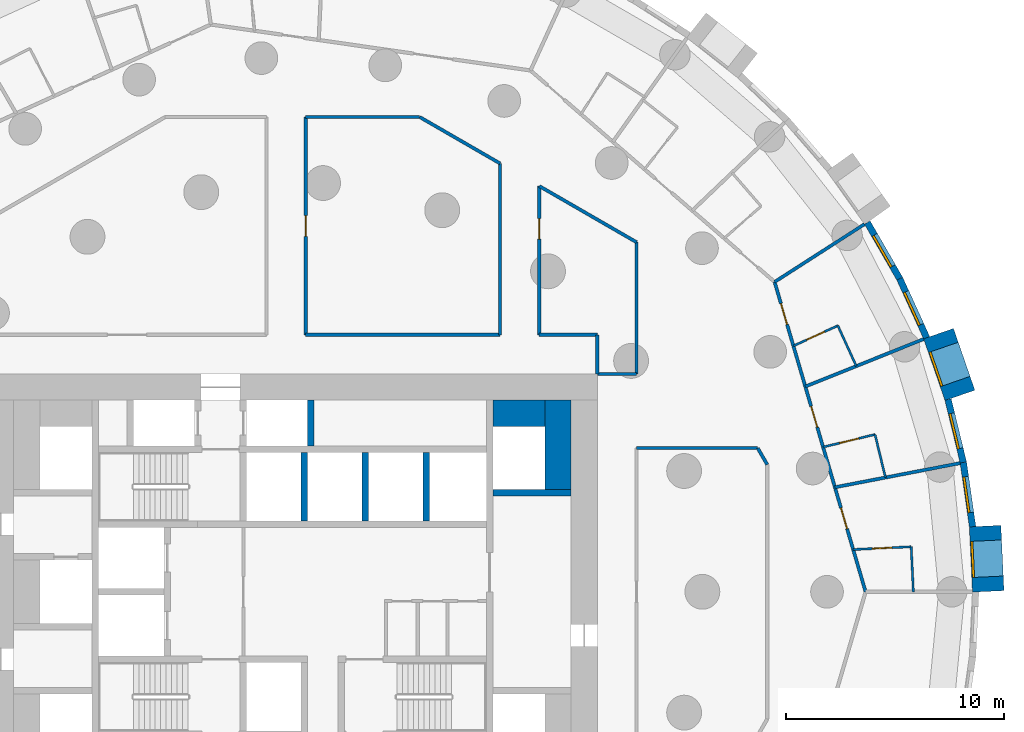
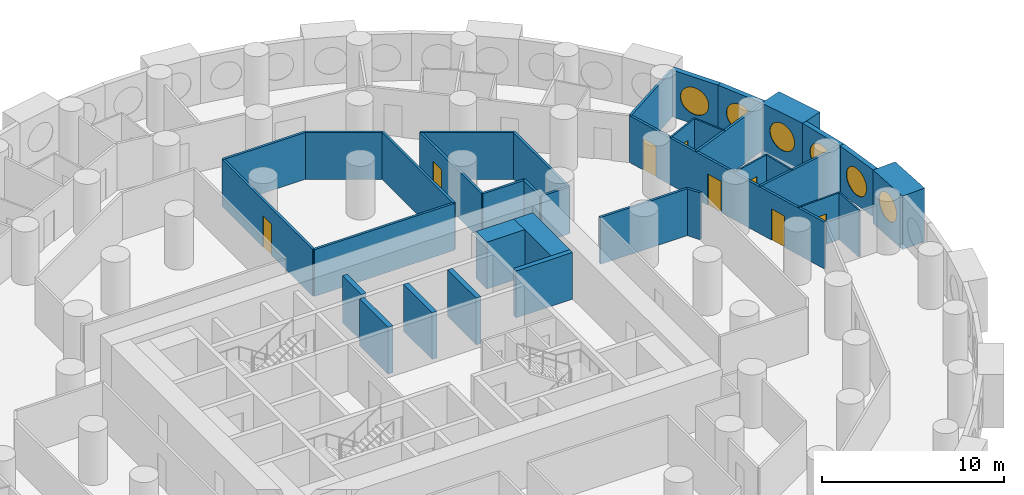
# One storey, part 9 of 12: 36 walls, 8 doors, 6 windows, 14 openings.
"""IFC4 building model written with IfcOpenShell, lengths in metres."""

import ifcopenshell
import ifcopenshell.guid

model = None  # the IFC model being written
_history = None  # IfcOwnerHistory: only IFC2X3 demands one
_inside = {}  # id of a spatial element -> (the spatial element, [elements in it])
_under = {}  # id of a project, library or spatial element -> (it, [spatial elements below it])
_declared = {}  # id of a project -> (the project, [libraries it declares])
_typed = {}  # id of a type object -> (the type object, [elements of that type])
_made_of = {}  # id of a material, layer set ... -> (it, [elements and type objects made of it])


def new_model(schema):
    """Start an empty IFC model of exactly this schema.

    Asked for "IFC4X3", IfcOpenShell would pick the latest addendum, in which some entities
    have other attributes; the version numbers below select the first issue.
    IFC2X3 requires an IfcOwnerHistory on every rooted entity: one is made here for all.
    """
    global model, _history
    if schema == "IFC4X3":
        model = ifcopenshell.file(schema_version=(4, 3, 0, 0))
    else:
        model = ifcopenshell.file(schema=schema)
    _inside.clear()
    _under.clear()
    _declared.clear()
    _typed.clear()
    _made_of.clear()
    _history = None
    if model.schema == "IFC2X3":
        org = make("IfcOrganization", Name="unknown")
        user = make(
            "IfcPersonAndOrganization",
            ThePerson=make("IfcPerson", FamilyName="unknown"),
            TheOrganization=org,
        )
        app = make(
            "IfcApplication",
            ApplicationDeveloper=org,
            Version="unknown",
            ApplicationFullName="unknown",
            ApplicationIdentifier="unknown",
        )
        _history = make(
            "IfcOwnerHistory",
            OwningUser=user,
            OwningApplication=app,
            ChangeAction="ADDED",
            CreationDate=0,
        )
    return model


def make(cls, **values):
    """One entity of the class cls with the attributes given. An attribute that is None is left unset."""
    return model.create_entity(
        cls, **{name: value for name, value in values.items() if value is not None}
    )


def rooted(cls, **values):
    """An entity with a GlobalId (a new one), such as an element, a storey or a relation."""
    return make(cls, GlobalId=ifcopenshell.guid.new(), OwnerHistory=_history, **values)


def si_unit(unit_type, name, prefix=None):
    """IfcSIUnit, for example si_unit("LENGTHUNIT", "METRE", prefix="MILLI")."""
    return make("IfcSIUnit", UnitType=unit_type, Prefix=prefix, Name=name)


def assignment(units):
    """IfcUnitAssignment: the units of a project."""
    return None if units is None else make("IfcUnitAssignment", Units=units)


def point(xyz):
    """IfcCartesianPoint."""
    return None if xyz is None else make("IfcCartesianPoint", Coordinates=xyz)


def direction(xyz):
    """IfcDirection."""
    return None if xyz is None else make("IfcDirection", DirectionRatios=xyz)


def frame(location, z_axis=None, x_axis=None):
    """IfcAxis2Placement3D, a coordinate frame: its origin and axes. An axis left out is left unset."""
    return make(
        "IfcAxis2Placement3D",
        Location=point(location),
        Axis=direction(z_axis),
        RefDirection=direction(x_axis),
    )


def frame_2d(location, x_axis=None):
    """IfcAxis2Placement2D, a coordinate frame in the plane: its origin and x axis."""
    return make(
        "IfcAxis2Placement2D", Location=point(location), RefDirection=direction(x_axis)
    )


def origin():
    """The frame at (0, 0, 0) with its axes left unset."""
    return frame((0.0, 0.0, 0.0))


def origin_2d():
    """The frame at (0, 0) in the plane with its x axis left unset."""
    return frame_2d((0.0, 0.0))


def place(relative_to, where):
    """IfcLocalPlacement: puts the frame where relative to a parent placement (None: the world)."""
    return make(
        "IfcLocalPlacement", PlacementRelTo=relative_to, RelativePlacement=where
    )


def context(
    kind, dimensions, precision=None, world=None, true_north=None, identifier=None
):
    """IfcGeometricRepresentationContext, for example the 3D "Model" context."""
    return make(
        "IfcGeometricRepresentationContext",
        ContextIdentifier=identifier,
        ContextType=kind,
        CoordinateSpaceDimension=dimensions,
        Precision=precision,
        WorldCoordinateSystem=world,
        TrueNorth=true_north,
    )


def subcontext(parent, identifier, kind, view, scale=None):
    """IfcGeometricRepresentationSubContext, for example "Body" below "Model"."""
    return make(
        "IfcGeometricRepresentationSubContext",
        ContextIdentifier=identifier,
        ContextType=kind,
        ParentContext=parent,
        TargetScale=scale,
        TargetView=view,
    )


def project(units=None, contexts=None):
    """IfcProject with its units and contexts."""
    return rooted(
        "IfcProject",
        Name="project",
        RepresentationContexts=contexts,
        UnitsInContext=assignment(units),
    )


def spatial(cls, under=None, at=None, **own):
    """A site, building, storey or space (cls), placed at a placement, below another one or the project."""
    s = rooted(cls, ObjectPlacement=at, **own)
    if under is not None:
        _under.setdefault(under.id(), (under, []))[1].append(s)
    return s


def profile(cls, at=None, kind="AREA", **sizes):
    """A parametric profile (cls). Its sizes go by their IFC names, for example OverallWidth=200.0."""
    return make(cls, ProfileType=kind, Position=at, **sizes)


def rectangle(**sizes):
    """IfcRectangleProfileDef."""
    return profile("IfcRectangleProfileDef", **sizes)


def circle(**sizes):
    """IfcCircleProfileDef."""
    return profile("IfcCircleProfileDef", **sizes)


def extrude(swept, where, along, depth):
    """IfcExtrudedAreaSolid: the profile swept, set in the frame where, extruded along a direction by depth."""
    return make(
        "IfcExtrudedAreaSolid",
        SweptArea=swept,
        Position=where,
        ExtrudedDirection=direction(along),
        Depth=depth,
    )


def shape(context_of_items, identifier, shape_type, items):
    """IfcShapeRepresentation: the items that make up one representation, for example the "Body"."""
    return make(
        "IfcShapeRepresentation",
        ContextOfItems=context_of_items,
        RepresentationIdentifier=identifier,
        RepresentationType=shape_type,
        Items=items,
    )


def material(Name=None, Category=None):
    """IfcMaterial."""
    return make("IfcMaterial", Name=Name, Category=Category)


def layer(
    of_material, thickness, ventilated=None, Name=None, Category=None, Priority=None
):
    """IfcMaterialLayer: one layer of a wall or slab, of a material (None: an air gap)."""
    return make(
        "IfcMaterialLayer",
        Material=of_material,
        LayerThickness=thickness,
        IsVentilated=ventilated,
        Name=Name,
        Category=Category,
        Priority=Priority,
    )


def layer_set(layers, Name=None):
    """IfcMaterialLayerSet."""
    return make("IfcMaterialLayerSet", MaterialLayers=layers, LayerSetName=Name)


def made_of(thing, what):
    """Note that an element or type object is made of a material, layer set ...; save() writes the relation."""
    if what is not None:
        _made_of.setdefault(what.id(), (what, []))[1].append(thing)
    return thing


def type_object(cls, material=None, **own):
    """A type object (cls), such as IfcWallType, which elements share."""
    return made_of(rooted(cls, **own), material)


def element(
    cls,
    number,
    at=None,
    inside=None,
    cuts=None,
    type_object=None,
    material=None,
    context=None,
    identifier="Body",
    shape_type=None,
    held_by="IfcProductDefinitionShape",
    body=None,
    shapes=None,
    **own,
):
    """One element of the class cls, such as IfcWall. Its Tag is "e" and its number.

    at: its placement. inside: the storey or other place that contains it. cuts: it is an
    opening in that element (IfcRelVoidsElement). A single representation is given by context,
    identifier, shape_type and body (its items); several are given by shapes. held_by: the class
    of the entity that holds the representations. save() writes the other relations.
    """
    e = rooted(cls, Tag="e%d" % number, ObjectPlacement=at, **own)
    if body is not None:
        shapes = [shape(context, identifier, shape_type, body)]
    if shapes is not None:
        e.Representation = make(held_by, Representations=shapes)
    if inside is not None:
        _inside.setdefault(inside.id(), (inside, []))[1].append(e)
    if cuts is not None:
        rooted(
            "IfcRelVoidsElement", RelatingBuildingElement=cuts, RelatedOpeningElement=e
        )
    if type_object is not None:
        _typed.setdefault(type_object.id(), (type_object, []))[1].append(e)
    return made_of(e, material)


def fill(opening, filler):
    """IfcRelFillsElement: the door or window that sits in an opening."""
    return rooted(
        "IfcRelFillsElement",
        RelatingOpeningElement=opening,
        RelatedBuildingElement=filler,
    )


def aggregate(whole, parts):
    """IfcRelAggregates: a whole, such as a stair, and the parts it consists of."""
    return rooted("IfcRelAggregates", RelatingObject=whole, RelatedObjects=parts)


def save(model, path):
    """Write the relations noted so far, then the file.

    IfcRelAggregates (storeys below a building ...), IfcRelContainedInSpatialStructure (elements
    in a storey), IfcRelDefinesByType, IfcRelAssociatesMaterial and IfcRelDeclares: one each for
    every whole, place, type object, material and project.
    """
    for whole, parts in _under.values():
        aggregate(whole, parts)
    for where, things in _inside.values():
        rooted(
            "IfcRelContainedInSpatialStructure",
            RelatedElements=things,
            RelatingStructure=where,
        )
    for kind, things in _typed.values():
        rooted("IfcRelDefinesByType", RelatedObjects=things, RelatingType=kind)
    for what, things in _made_of.values():
        rooted("IfcRelAssociatesMaterial", RelatedObjects=things, RelatingMaterial=what)
    for by, libraries in _declared.values():
        rooted("IfcRelDeclares", RelatingContext=by, RelatedDefinitions=libraries)
    model.write(path)


model = new_model("IFC4")

# Units and contexts
model_context = context("Model", 3, precision=1e-05, world=origin(), true_north=direction((0.0, 1.0)))
body_context = subcontext(model_context, "Body", "Model", "MODEL_VIEW")
ifc_project = project(units=[si_unit("LENGTHUNIT", "METRE"), si_unit("AREAUNIT", "SQUARE_METRE"), si_unit("VOLUMEUNIT", "CUBIC_METRE"), si_unit("PLANEANGLEUNIT", "RADIAN"), si_unit("MASSUNIT", "GRAM", prefix="KILO")], contexts=[model_context])

# Site, building, storey
site_placement = place(None, origin())
site = spatial("IfcSite", under=ifc_project, at=site_placement, CompositionType="ELEMENT")
building_placement = place(site_placement, origin())
building = spatial("IfcBuilding", under=site, at=building_placement, Name="Tracery Tower", CompositionType="ELEMENT")
storey_placement = place(building_placement, frame((0.0, 0.0, 31.800048828125)))
storey = spatial("IfcBuildingStorey", under=building, at=storey_placement, Name="L06", CompositionType="ELEMENT", Elevation=31.800048828125)

# Walls
ifc_material_1 = material(Name="Concrete C60/75", Category="concrete")
ifc_layer_1 = layer(ifc_material_1, 1.199951171875)
ifc_layer_set_1 = layer_set([ifc_layer_1], Name="Core strip wall 1200 C60")
wall_type_1 = type_object("IfcWallType", Name="Core strip wall 1200 C60", PredefinedType="SOLIDWALL", material=ifc_layer_set_1)
wall_1_placement = place(storey_placement, frame((12.199951171875, 4.699951171875, 0.0), z_axis=(0.0, 0.0, 1.0), x_axis=(0.0, 1.0, 0.0)))
element("IfcWall", 1, at=wall_1_placement, inside=storey, type_object=wall_type_1, Name="L06 wing strip +1 4.55", PredefinedType="SOLIDWALL", context=body_context, shape_type="SweptSolid", body=[
    extrude(rectangle(XDim=4.10009765625, YDim=1.199951171875, at=frame_2d((2.050048828125, 0.0))), origin(), (0.0, 0.0, 1.0), 3.14990234375),
])
wall_2_placement = place(storey_placement, frame((9.199951171875, 8.199951171875, 0.0), z_axis=(0.0, 0.0, 1.0), x_axis=(1.0, 0.0, 0.0)))
element("IfcWall", 2, at=wall_2_placement, inside=storey, type_object=wall_type_1, Name="L06 wing corner +1 +8.2", PredefinedType="SOLIDWALL", context=body_context, shape_type="SweptSolid", body=[
    extrude(rectangle(XDim=2.400146484375, YDim=1.199951171875, at=frame_2d((1.2001953125, 0.0))), origin(), (0.0, 0.0, 1.0), 3.14990234375),
])

# Wall, opening, window
ifc_material_2 = material(Name="Precast concrete C50/60", Category="concrete")
ifc_layer_2 = layer(ifc_material_2, 1.449951171875)
ifc_layer_set_2 = layer_set([ifc_layer_2], Name="Deep-set bay unit 3000 x 3600, slab edge 450")
wall_type_2 = type_object("IfcWallType", Name="Deep-set bay unit 3000 x 3600, slab edge 450", PredefinedType="ELEMENTEDWALL", material=ifc_layer_set_2)
wall_3_placement = place(storey_placement, frame((31.94921875, 0.020263671875, -0.449951171875), z_axis=(0.0, 0.0, 1.0), x_axis=(-0.047607680889, 0.998866111509, 0.0)))
wall_3 = element("IfcWall", 3, at=wall_3_placement, inside=storey, type_object=wall_type_2, Name="Deep-set bay unit 1 at L06", PredefinedType="ELEMENTEDWALL", context=body_context, shape_type="SweptSolid", body=[
    extrude(rectangle(XDim=3.0, YDim=1.449951171875, at=frame_2d((1.5, 0.0))), origin(), (0.0, 0.0, 1.0), 3.599853515625),
])
opening_1_placement = place(wall_3_placement, frame((1.5, 0.0, 2.0)))
opening_1 = element("IfcOpeningElement", 4, at=opening_1_placement, cuts=wall_3, Name="Opening WN1", PredefinedType="OPENING", context=body_context, shape_type="SweptSolid", body=[
    extrude(circle(Radius=0.9000244140625, at=origin_2d()), frame((0.0, 0.73486328125, 0.0), z_axis=(0.0, -1.0, 0.0), x_axis=(1.0, 0.0, 0.0)), (0.0, 0.0, 1.0), 1.469970703125),
])
ifc_material_3 = material(Name="Aluminium frame with tinted double glazing", Category="aluminium")
window_type = type_object("IfcWindowType", Name="Round window 1800", PartitioningType="SINGLE_PANEL", PredefinedType="WINDOW", material=ifc_material_3)
window_1_placement = place(opening_1_placement, origin())
window_1 = element("IfcWindow", 5, at=window_1_placement, inside=storey, type_object=window_type, Name="Round window 1 at L06", OverallHeight=1.800048828125, OverallWidth=1.800048828125, PartitioningType="SINGLE_PANEL", PredefinedType="WINDOW", context=body_context, shape_type="SweptSolid", body=[
    extrude(circle(Radius=0.9000244140625, at=origin_2d()), frame((0.0, 0.69482421875, 0.0), z_axis=(0.0, -1.0, 0.0), x_axis=(1.0, 0.0, 0.0)), (0.0, 0.0, 1.0), 0.10009765625),
])
fill(opening_1, window_1)

wall_4_placement = place(storey_placement, frame((30.649169921875, 9.0205078125, -0.449951171875), z_axis=(0.0, 0.0, 1.0), x_axis=(-0.327071431777, 0.944999618262, 0.0)))
wall_4 = element("IfcWall", 6, at=wall_4_placement, inside=storey, type_object=wall_type_2, Name="Deep-set bay unit 4 at L06", PredefinedType="ELEMENTEDWALL", context=body_context, shape_type="SweptSolid", body=[
    extrude(rectangle(XDim=3.0, YDim=1.449951171875, at=frame_2d((1.5, 0.0))), origin(), (0.0, 0.0, 1.0), 3.599853515625),
])
opening_2_placement = place(wall_4_placement, frame((1.5, 0.0, 2.0)))
opening_2 = element("IfcOpeningElement", 7, at=opening_2_placement, cuts=wall_4, Name="Opening WN1", PredefinedType="OPENING", context=body_context, shape_type="SweptSolid", body=[
    extrude(circle(Radius=0.9000244140625, at=origin_2d()), frame((0.0, 0.73486328125, 0.0), z_axis=(0.0, -1.0, 0.0), x_axis=(1.0, 0.0, 0.0)), (0.0, 0.0, 1.0), 1.469970703125),
])
window_2_placement = place(opening_2_placement, origin())
window_2 = element("IfcWindow", 8, at=window_2_placement, inside=storey, type_object=window_type, Name="Round window 4 at L06", OverallHeight=1.800048828125, OverallWidth=1.800048828125, PartitioningType="SINGLE_PANEL", PredefinedType="WINDOW", context=body_context, shape_type="SweptSolid", body=[
    extrude(circle(Radius=0.9000244140625, at=origin_2d()), frame((0.0, 0.69482421875, 0.0), z_axis=(0.0, -1.0, 0.0), x_axis=(1.0, 0.0, 0.0)), (0.0, 0.0, 1.0), 0.10009765625),
])
fill(opening_2, window_2)

ifc_material_4 = material(Name="Precast concrete C50/60", Category="concrete")
ifc_layer_3 = layer(ifc_material_4, 0.300048828125)
ifc_layer_set_3 = layer_set([ifc_layer_3], Name="Facade panel 3000 x 3150")
wall_type_3 = type_object("IfcWallType", Name="Facade panel 3000 x 3150", PredefinedType="SOLIDWALL", material=ifc_layer_set_3)
wall_5_placement = place(storey_placement, frame((31.2314453125, 2.98828125, 0.0), z_axis=(0.0, 0.0, 1.0), x_axis=(-0.142315996627, 0.989821275334, 0.0)))
wall_5 = element("IfcWall", 9, at=wall_5_placement, inside=storey, type_object=wall_type_3, Name="Facade panel 2 at L06", PredefinedType="SOLIDWALL", context=body_context, shape_type="SweptSolid", body=[
    extrude(rectangle(XDim=2.979736328125, YDim=0.300048828125, at=frame_2d((1.48974609375, 0.0))), origin(), (0.0, 0.0, 1.0), 3.14990234375),
])
opening_3_placement = place(wall_5_placement, frame((1.48974609375, 0.0, 1.5498046875)))
opening_3 = element("IfcOpeningElement", 10, at=opening_3_placement, cuts=wall_5, Name="Opening WN1", PredefinedType="OPENING", context=body_context, shape_type="SweptSolid", body=[
    extrude(circle(Radius=0.9000244140625, at=origin_2d()), frame((0.0, 0.159912109375, 0.0), z_axis=(0.0, -1.0, 0.0), x_axis=(1.0, 0.0, 0.0)), (0.0, 0.0, 1.0), 0.320068359375),
])
window_3_placement = place(opening_3_placement, origin())
window_3 = element("IfcWindow", 11, at=window_3_placement, inside=storey, type_object=window_type, Name="Round window 2 at L06", OverallHeight=1.800048828125, OverallWidth=1.800048828125, PartitioningType="SINGLE_PANEL", PredefinedType="WINDOW", context=body_context, shape_type="SweptSolid", body=[
    extrude(circle(Radius=0.9000244140625, at=origin_2d()), frame((0.0, 0.1201171875, 0.0), z_axis=(0.0, -1.0, 0.0), x_axis=(1.0, 0.0, 0.0)), (0.0, 0.0, 1.0), 0.10009765625),
])
fill(opening_3, window_3)

wall_6_placement = place(storey_placement, frame((30.807373046875, 5.937744140625, 0.0), z_axis=(0.0, 0.0, 1.0), x_axis=(-0.235743081534, 0.971815414319, 0.0)))
wall_6 = element("IfcWall", 12, at=wall_6_placement, inside=storey, type_object=wall_type_3, Name="Facade panel 3 at L06", PredefinedType="SOLIDWALL", context=body_context, shape_type="SweptSolid", body=[
    extrude(rectangle(XDim=2.9794921875, YDim=0.300048828125, at=frame_2d((1.48974609375, 0.0))), origin(), (0.0, 0.0, 1.0), 3.14990234375),
])
opening_4_placement = place(wall_6_placement, frame((1.48974609375, 0.0, 1.5498046875)))
opening_4 = element("IfcOpeningElement", 13, at=opening_4_placement, cuts=wall_6, Name="Opening WN1", PredefinedType="OPENING", context=body_context, shape_type="SweptSolid", body=[
    extrude(circle(Radius=0.9000244140625, at=origin_2d()), frame((0.0, 0.159912109375, 0.0), z_axis=(0.0, -1.0, 0.0), x_axis=(1.0, 0.0, 0.0)), (0.0, 0.0, 1.0), 0.320068359375),
])
window_4_placement = place(opening_4_placement, origin())
window_4 = element("IfcWindow", 14, at=window_4_placement, inside=storey, type_object=window_type, Name="Round window 3 at L06", OverallHeight=1.800048828125, OverallWidth=1.800048828125, PartitioningType="SINGLE_PANEL", PredefinedType="WINDOW", context=body_context, shape_type="SweptSolid", body=[
    extrude(circle(Radius=0.9000244140625, at=origin_2d()), frame((0.0, 0.1201171875, 0.0), z_axis=(0.0, -1.0, 0.0), x_axis=(1.0, 0.0, 0.0)), (0.0, 0.0, 1.0), 0.10009765625),
])
fill(opening_4, window_4)

wall_7_placement = place(storey_placement, frame((29.12451171875, 11.666259765625, 0.0), z_axis=(0.0, 0.0, 1.0), x_axis=(-0.415407317162, 0.909635509888, 0.0)))
wall_7 = element("IfcWall", 15, at=wall_7_placement, inside=storey, type_object=wall_type_3, Name="Facade panel 5 at L06", PredefinedType="SOLIDWALL", context=body_context, shape_type="SweptSolid", body=[
    extrude(rectangle(XDim=2.979736328125, YDim=0.300048828125, at=frame_2d((1.48974609375, 0.0))), origin(), (0.0, 0.0, 1.0), 3.14990234375),
])
opening_5_placement = place(wall_7_placement, frame((1.48974609375, 0.0, 1.5498046875)))
opening_5 = element("IfcOpeningElement", 16, at=opening_5_placement, cuts=wall_7, Name="Opening WN1", PredefinedType="OPENING", context=body_context, shape_type="SweptSolid", body=[
    extrude(circle(Radius=0.9000244140625, at=origin_2d()), frame((0.0, 0.159912109375, 0.0), z_axis=(0.0, -1.0, 0.0), x_axis=(1.0, 0.0, 0.0)), (0.0, 0.0, 1.0), 0.320068359375),
])
window_5_placement = place(opening_5_placement, origin())
window_5 = element("IfcWindow", 17, at=window_5_placement, inside=storey, type_object=window_type, Name="Round window 5 at L06", OverallHeight=1.800048828125, OverallWidth=1.800048828125, PartitioningType="SINGLE_PANEL", PredefinedType="WINDOW", context=body_context, shape_type="SweptSolid", body=[
    extrude(circle(Radius=0.9000244140625, at=origin_2d()), frame((0.0, 0.1201171875, 0.0), z_axis=(0.0, -1.0, 0.0), x_axis=(1.0, 0.0, 0.0)), (0.0, 0.0, 1.0), 0.10009765625),
])
fill(opening_5, window_5)

wall_8_placement = place(storey_placement, frame((27.88671875, 14.376708984375, 0.0), z_axis=(0.0, 0.0, 1.0), x_axis=(-0.499999078476, 0.866025935826, 0.0)))
wall_8 = element("IfcWall", 18, at=wall_8_placement, inside=storey, type_object=wall_type_3, Name="Facade panel 6 at L06", PredefinedType="SOLIDWALL", context=body_context, shape_type="SweptSolid", body=[
    extrude(rectangle(XDim=2.9794921875, YDim=0.300048828125, at=frame_2d((1.48974609375, 0.0))), origin(), (0.0, 0.0, 1.0), 3.14990234375),
])
opening_6_placement = place(wall_8_placement, frame((1.48974609375, 0.0, 1.5498046875)))
opening_6 = element("IfcOpeningElement", 19, at=opening_6_placement, cuts=wall_8, Name="Opening WN1", PredefinedType="OPENING", context=body_context, shape_type="SweptSolid", body=[
    extrude(circle(Radius=0.9000244140625, at=origin_2d()), frame((0.0, 0.159912109375, 0.0), z_axis=(0.0, -1.0, 0.0), x_axis=(1.0, 0.0, 0.0)), (0.0, 0.0, 1.0), 0.320068359375),
])
window_6_placement = place(opening_6_placement, origin())
window_6 = element("IfcWindow", 20, at=window_6_placement, inside=storey, type_object=window_type, Name="Round window 6 at L06", OverallHeight=1.800048828125, OverallWidth=1.800048828125, PartitioningType="SINGLE_PANEL", PredefinedType="WINDOW", context=body_context, shape_type="SweptSolid", body=[
    extrude(circle(Radius=0.9000244140625, at=origin_2d()), frame((0.0, 0.1201171875, 0.0), z_axis=(0.0, -1.0, 0.0), x_axis=(1.0, 0.0, 0.0)), (0.0, 0.0, 1.0), 0.10009765625),
])
fill(opening_6, window_6)

# Wall
ifc_material_5 = material(Name="Plasterboard on steel studs", Category="steel")
ifc_layer_4 = layer(ifc_material_5, 0.10009765625)
ifc_layer_set_4 = layer_set([ifc_layer_4], Name="Partition 100 wet wall")
wall_type_4 = type_object("IfcWallType", Name="Partition 100 wet wall", PredefinedType="PARTITIONING", material=ifc_layer_set_4)
wall_9_placement = place(storey_placement, frame((28.412109375, 2.069091796875, 0.0), z_axis=(0.0, 0.0, 1.0), x_axis=(0.047733138673, -0.998860124078, 0.0)))
element("IfcWall", 21, at=wall_9_placement, inside=storey, type_object=wall_type_4, Name="Wet wall RA1-058", PredefinedType="PARTITIONING", context=body_context, shape_type="SweptSolid", body=[
    extrude(rectangle(XDim=2.071533203125, YDim=0.10009765625, at=frame_2d((1.03564453125, 0.0))), origin(), (0.0, 0.0, 1.0), 3.14990234375),
])

# Wall, opening, door
wall_10_placement = place(storey_placement, frame((25.7490234375, 1.94189453125, 0.0), z_axis=(0.0, 0.0, 1.0), x_axis=(0.998861290624, 0.047708721344, 0.0)))
wall_10 = element("IfcWall", 22, at=wall_10_placement, inside=storey, type_object=wall_type_4, Name="Wet wall RA1-059", PredefinedType="PARTITIONING", context=body_context, shape_type="SweptSolid", body=[
    extrude(rectangle(XDim=2.666015625, YDim=0.10009765625, at=frame_2d((1.3330078125, 0.0))), origin(), (0.0, 0.0, 1.0), 3.14990234375),
])
opening_7_placement = place(wall_10_placement, frame((0.883056640625, 0.0, 0.0)))
opening_7 = element("IfcOpeningElement", 23, at=opening_7_placement, cuts=wall_10, Name="Opening RA1-09", PredefinedType="OPENING", context=body_context, shape_type="SweptSolid", body=[
    extrude(rectangle(XDim=0.89990234375, YDim=2.0400390625, at=frame_2d((0.449951171875, 1.02001953125))), frame((0.0, 0.050048828125, 0.0), z_axis=(0.0, -1.0, 0.0), x_axis=(1.0, 0.0, 0.0)), (0.0, 0.0, 1.0), 0.10009765625),
])
ifc_material_6 = material(Name="Timber door leaf", Category="wood")
door_type_1 = type_object("IfcDoorType", Name="Door en-suite 900", OperationType="NOTDEFINED", PredefinedType="DOOR", material=ifc_material_6)
door_1_placement = place(opening_7_placement, origin())
door_1 = element("IfcDoor", 24, at=door_1_placement, inside=storey, type_object=door_type_1, Name="En-suite door RA1-09", OperationType="SINGLE_SWING_LEFT", OverallHeight=2.0400390625, OverallWidth=0.89990234375, PredefinedType="DOOR", context=body_context, shape_type="SweptSolid", body=[
    extrude(rectangle(XDim=0.89990234375, YDim=2.0400390625, at=frame_2d((0.449951171875, 1.02001953125))), frame((0.0, 0.02490234375, 0.0), z_axis=(0.0, -1.0, 0.0), x_axis=(1.0, 0.0, 0.0)), (0.0, 0.0, 1.0), 0.050048828125),
])
fill(opening_7, door_1)

# Wall
wall_11_placement = place(storey_placement, frame((26.75, 7.22509765625, 0.0), z_axis=(0.0, 0.0, 1.0), x_axis=(0.23592286129, -0.97177178572, 0.0)))
element("IfcWall", 25, at=wall_11_placement, inside=storey, type_object=wall_type_4, Name="Wet wall RA1-062", PredefinedType="PARTITIONING", context=body_context, shape_type="SweptSolid", body=[
    extrude(rectangle(XDim=2.034423828125, YDim=0.10009765625, at=frame_2d((1.01708984375, 0.0))), origin(), (0.0, 0.0, 1.0), 3.14990234375),
])

# Wall, opening, door
wall_12_placement = place(storey_placement, frame((24.366943359375, 6.64599609375, 0.0), z_axis=(0.0, 0.0, 1.0), x_axis=(0.971720101056, 0.236135650006, 0.0)))
wall_12 = element("IfcWall", 26, at=wall_12_placement, inside=storey, type_object=wall_type_4, Name="Wet wall RA1-063", PredefinedType="PARTITIONING", context=body_context, shape_type="SweptSolid", body=[
    extrude(rectangle(XDim=2.452392578125, YDim=0.10009765625, at=frame_2d((1.22607421875, 0.0))), origin(), (0.0, 0.0, 1.0), 3.14990234375),
])
opening_8_placement = place(wall_12_placement, frame((0.7763671875, 0.0, 0.0)))
opening_8 = element("IfcOpeningElement", 27, at=opening_8_placement, cuts=wall_12, Name="Opening RA1-11", PredefinedType="OPENING", context=body_context, shape_type="SweptSolid", body=[
    extrude(rectangle(XDim=0.89990234375, YDim=2.0400390625, at=frame_2d((0.449951171875, 1.02001953125))), frame((0.0, 0.050048828125, 0.0), z_axis=(0.0, -1.0, 0.0), x_axis=(1.0, 0.0, 0.0)), (0.0, 0.0, 1.0), 0.10009765625),
])
door_2_placement = place(opening_8_placement, origin())
door_2 = element("IfcDoor", 28, at=door_2_placement, inside=storey, type_object=door_type_1, Name="En-suite door RA1-11", OperationType="SINGLE_SWING_LEFT", OverallHeight=2.0400390625, OverallWidth=0.89990234375, PredefinedType="DOOR", context=body_context, shape_type="SweptSolid", body=[
    extrude(rectangle(XDim=0.89990234375, YDim=2.0400390625, at=frame_2d((0.449951171875, 1.02001953125))), frame((0.0, 0.02490234375, 0.0), z_axis=(0.0, -1.0, 0.0), x_axis=(1.0, 0.0, 0.0)), (0.0, 0.0, 1.0), 0.050048828125),
])
fill(opening_8, door_2)

# Wall
wall_13_placement = place(storey_placement, frame((25.04296875, 12.221923828125, 0.0), z_axis=(0.0, 0.0, 1.0), x_axis=(0.41546015385, -0.909611378866, 0.0)))
element("IfcWall", 29, at=wall_13_placement, inside=storey, type_object=wall_type_4, Name="Wet wall RA1-065", PredefinedType="PARTITIONING", context=body_context, shape_type="SweptSolid", body=[
    extrude(rectangle(XDim=2.04150390625, YDim=0.10009765625, at=frame_2d((1.020751953125, 0.0))), origin(), (0.0, 0.0, 1.0), 3.14990234375),
])

# Wall, opening, door
wall_14_placement = place(storey_placement, frame((23.0029296875, 11.291015625, 0.0), z_axis=(0.0, 0.0, 1.0), x_axis=(0.90975773562, 0.41513956988, 0.0)))
wall_14 = element("IfcWall", 30, at=wall_14_placement, inside=storey, type_object=wall_type_4, Name="Wet wall RA1-066", PredefinedType="PARTITIONING", context=body_context, shape_type="SweptSolid", body=[
    extrude(rectangle(XDim=2.242431640625, YDim=0.10009765625, at=frame_2d((1.12109375, 0.0))), origin(), (0.0, 0.0, 1.0), 3.14990234375),
])
opening_9_placement = place(wall_14_placement, frame((0.67138671875, 0.0, 0.0)))
opening_9 = element("IfcOpeningElement", 31, at=opening_9_placement, cuts=wall_14, Name="Opening RA1-13", PredefinedType="OPENING", context=body_context, shape_type="SweptSolid", body=[
    extrude(rectangle(XDim=0.89990234375, YDim=2.0400390625, at=frame_2d((0.449951171875, 1.02001953125))), frame((0.0, 0.050048828125, 0.0), z_axis=(0.0, -1.0, 0.0), x_axis=(1.0, 0.0, 0.0)), (0.0, 0.0, 1.0), 0.10009765625),
])
door_3_placement = place(opening_9_placement, origin())
door_3 = element("IfcDoor", 32, at=door_3_placement, inside=storey, type_object=door_type_1, Name="En-suite door RA1-13", OperationType="SINGLE_SWING_LEFT", OverallHeight=2.0400390625, OverallWidth=0.89990234375, PredefinedType="DOOR", context=body_context, shape_type="SweptSolid", body=[
    extrude(rectangle(XDim=0.89990234375, YDim=2.0400390625, at=frame_2d((0.449951171875, 1.02001953125))), frame((0.0, 0.02490234375, 0.0), z_axis=(0.0, -1.0, 0.0), x_axis=(1.0, 0.0, 0.0)), (0.0, 0.0, 1.0), 0.050048828125),
])
fill(opening_9, door_3)

# Walls
ifc_material_7 = material(Name="Plasterboard on steel studs", Category="steel")
ifc_layer_5 = layer(ifc_material_7, 0.14990234375)
ifc_layer_set_5 = layer_set([ifc_layer_5], Name="Partition 150 acoustic unit wall")
wall_type_5 = type_object("IfcWallType", Name="Partition 150 acoustic unit wall", PredefinedType="PARTITIONING", material=ifc_layer_set_5)
wall_15_placement = place(storey_placement, frame((24.9091796875, 4.80029296875, 0.0), z_axis=(0.0, 0.0, 1.0), x_axis=(0.981919819649, 0.18929729998, 0.0)))
element("IfcWall", 33, at=wall_15_placement, inside=storey, type_object=wall_type_5, Name="Unit wall RA1-060", PredefinedType="PARTITIONING", context=body_context, shape_type="SweptSolid", body=[
    extrude(rectangle(XDim=5.856689453125, YDim=0.14990234375, at=frame_2d((2.92822265625, 0.0))), origin(), (0.0, 0.0, 1.0), 3.14990234375),
])
wall_16_placement = place(storey_placement, frame((23.55029296875, 9.427001953125, 0.0), z_axis=(0.0, 0.0, 1.0), x_axis=(0.928307005382, 0.371814609393, 0.0)))
element("IfcWall", 34, at=wall_16_placement, inside=storey, type_object=wall_type_5, Name="Unit wall RA1-064", PredefinedType="PARTITIONING", context=body_context, shape_type="SweptSolid", body=[
    extrude(rectangle(XDim=5.857666015625, YDim=0.14990234375, at=frame_2d((2.9287109375, 0.0))), origin(), (0.0, 0.0, 1.0), 3.14990234375),
])
wall_17_placement = place(storey_placement, frame((22.14111328125, 14.22900390625, 0.0), z_axis=(0.0, 0.0, 1.0), x_axis=(0.841265781699, 0.540621757371, 0.0)))
element("IfcWall", 35, at=wall_17_placement, inside=storey, type_object=wall_type_5, Name="Unit wall RA1-067", PredefinedType="PARTITIONING", context=body_context, shape_type="SweptSolid", body=[
    extrude(rectangle(XDim=4.90576171875, YDim=0.14990234375, at=frame_2d((2.452880859375, 0.0))), origin(), (0.0, 0.0, 1.0), 3.14990234375),
])
ifc_material_8 = material(Name="Plasterboard on steel studs", Category="steel")
ifc_layer_6 = layer(ifc_material_8, 0.14990234375)
ifc_layer_set_6 = layer_set([ifc_layer_6], Name="Partition 150 corridor wall")
wall_type_6 = type_object("IfcWallType", Name="Partition 150 corridor wall", PredefinedType="PARTITIONING", material=ifc_layer_set_6)
wall_18_placement = place(storey_placement, frame((0.60400390625, 11.800048828125, 0.0), z_axis=(0.0, 0.0, 1.0), x_axis=(1.0, 0.0, 0.0)))
element("IfcWall", 36, at=wall_18_placement, inside=storey, type_object=wall_type_6, Name="Corridor wall RA1-002", PredefinedType="PARTITIONING", context=body_context, shape_type="SweptSolid", body=[
    extrude(rectangle(XDim=8.93603515625, YDim=0.14990234375, at=frame_2d((4.468017578125, 0.0))), origin(), (0.0, 0.0, 1.0), 3.14990234375),
])
wall_19_placement = place(storey_placement, frame((11.33203125, 11.800048828125, 0.0), z_axis=(0.0, 0.0, 1.0), x_axis=(1.0, 0.0, 0.0)))
element("IfcWall", 37, at=wall_19_placement, inside=storey, type_object=wall_type_6, Name="Corridor wall RA1-003", PredefinedType="PARTITIONING", context=body_context, shape_type="SweptSolid", body=[
    extrude(rectangle(XDim=2.66796875, YDim=0.14990234375, at=frame_2d((1.333984375, 0.0))), origin(), (0.0, 0.0, 1.0), 3.14990234375),
])
for number, where, z_axis, x_axis, name in (
    (38, (14.0, 10.0, 0.0), (0.0, 0.0, 1.0), (0.0, 1.0, 0.0), "Corridor wall RA1-004"),
    (39, (14.0, 10.0, 0.0), (0.0, 0.0, 1.0), (1.0, 0.0, 0.0), "Corridor wall RA1-009"),
):
    element("IfcWall", number, at=place(storey_placement, frame(where, z_axis=z_axis, x_axis=x_axis)), inside=storey, type_object=wall_type_6, Name=name, PredefinedType="PARTITIONING", context=body_context, shape_type="SweptSolid", body=[
        extrude(rectangle(XDim=1.800048828125, YDim=0.14990234375, at=frame_2d((0.89990234375, 0.0))), origin(), (0.0, 0.0, 1.0), 3.14990234375),
    ])
wall_20_placement = place(storey_placement, frame((15.800048828125, 9.99609375, 0.0), z_axis=(0.0, 0.0, 1.0), x_axis=(0.0, 1.0, 0.0)))
element("IfcWall", 40, at=wall_20_placement, inside=storey, type_object=wall_type_6, Name="Corridor wall RA1-013", PredefinedType="PARTITIONING", context=body_context, shape_type="SweptSolid", body=[
    extrude(rectangle(XDim=6.056884765625, YDim=0.14990234375, at=frame_2d((3.0283203125, 0.0))), origin(), (0.0, 0.0, 1.0), 3.14990234375),
])
wall_21_placement = place(storey_placement, frame((21.364013671875, 6.60009765625, 0.0), z_axis=(0.0, 0.0, 1.0), x_axis=(0.500277597875, -0.865865073245, 0.0)))
element("IfcWall", 41, at=wall_21_placement, inside=storey, type_object=wall_type_6, Name="Corridor wall RA1-018", PredefinedType="PARTITIONING", context=body_context, shape_type="SweptSolid", body=[
    extrude(rectangle(XDim=0.87548828125, YDim=0.14990234375, at=frame_2d((0.437744140625, 0.0))), origin(), (0.0, 0.0, 1.0), 3.14990234375),
])
wall_22_placement = place(storey_placement, frame((15.800048828125, 6.60009765625, 0.0), z_axis=(0.0, 0.0, 1.0), x_axis=(1.0, 0.0, 0.0)))
element("IfcWall", 42, at=wall_22_placement, inside=storey, type_object=wall_type_6, Name="Corridor wall RA1-019", PredefinedType="PARTITIONING", context=body_context, shape_type="SweptSolid", body=[
    extrude(rectangle(XDim=5.56396484375, YDim=0.14990234375, at=frame_2d((2.781982421875, 0.0))), origin(), (0.0, 0.0, 1.0), 3.14990234375),
])

# Wall, openings, doors
wall_23_placement = place(storey_placement, frame((22.140380859375, 14.228759765625, 0.0), z_axis=(0.0, 0.0, 1.0), x_axis=(0.281780364869, -0.959478934617, 0.0)))
wall_23 = element("IfcWall", 43, at=wall_23_placement, inside=storey, type_object=wall_type_6, Name="Corridor wall RA1-020", PredefinedType="PARTITIONING", context=body_context, shape_type="SweptSolid", body=[
    extrude(rectangle(XDim=14.82958984375, YDim=0.14990234375, at=frame_2d((7.414794921875, 0.0))), origin(), (0.0, 0.0, 1.0), 3.14990234375),
])
opening_10_placement = place(wall_23_placement, frame((10.81591796875, 0.0, 0.0)))
opening_10 = element("IfcOpeningElement", 44, at=opening_10_placement, cuts=wall_23, Name="Opening RA1-10", PredefinedType="OPENING", context=body_context, shape_type="SweptSolid", body=[
    extrude(rectangle(XDim=1.0, YDim=2.10009765625, at=frame_2d((0.5, 1.050048828125))), frame((0.0, 0.074951171875, 0.0), z_axis=(0.0, -1.0, 0.0), x_axis=(1.0, 0.0, 0.0)), (0.0, 0.0, 1.0), 0.14990234375),
])
opening_11_placement = place(wall_23_placement, frame((5.953369140625, 0.0, 0.0)))
opening_11 = element("IfcOpeningElement", 45, at=opening_11_placement, cuts=wall_23, Name="Opening RA1-12", PredefinedType="OPENING", context=body_context, shape_type="SweptSolid", body=[
    extrude(rectangle(XDim=1.0, YDim=2.10009765625, at=frame_2d((0.5, 1.050048828125))), frame((0.0, 0.074951171875, 0.0), z_axis=(0.0, -1.0, 0.0), x_axis=(1.0, 0.0, 0.0)), (0.0, 0.0, 1.0), 0.14990234375),
])
opening_12_placement = place(wall_23_placement, frame((1.032958984375, 0.0, 0.0)))
opening_12 = element("IfcOpeningElement", 46, at=opening_12_placement, cuts=wall_23, Name="Opening RA1-14", PredefinedType="OPENING", context=body_context, shape_type="SweptSolid", body=[
    extrude(rectangle(XDim=1.0, YDim=2.10009765625, at=frame_2d((0.5, 1.050048828125))), frame((0.0, 0.074951171875, 0.0), z_axis=(0.0, -1.0, 0.0), x_axis=(1.0, 0.0, 0.0)), (0.0, 0.0, 1.0), 0.14990234375),
])
ifc_material_9 = material(Name="Timber door leaf", Category="wood")
door_type_2 = type_object("IfcDoorType", Name="Door unit entrance 1000", OperationType="NOTDEFINED", PredefinedType="DOOR", material=ifc_material_9)
door_4_placement = place(opening_10_placement, origin())
door_4 = element("IfcDoor", 47, at=door_4_placement, inside=storey, type_object=door_type_2, Name="Unit entrance door RA1-10", OperationType="SINGLE_SWING_LEFT", OverallHeight=2.10009765625, OverallWidth=1.0, PredefinedType="DOOR", context=body_context, shape_type="SweptSolid", body=[
    extrude(rectangle(XDim=1.0, YDim=2.10009765625, at=frame_2d((0.5, 1.050048828125))), frame((0.0, 0.02490234375, 0.0), z_axis=(0.0, -1.0, 0.0), x_axis=(1.0, 0.0, 0.0)), (0.0, 0.0, 1.0), 0.050048828125),
])
fill(opening_10, door_4)
door_5_placement = place(opening_11_placement, origin())
door_5 = element("IfcDoor", 48, at=door_5_placement, inside=storey, type_object=door_type_2, Name="Unit entrance door RA1-12", OperationType="SINGLE_SWING_LEFT", OverallHeight=2.10009765625, OverallWidth=1.0, PredefinedType="DOOR", context=body_context, shape_type="SweptSolid", body=[
    extrude(rectangle(XDim=1.0, YDim=2.10009765625, at=frame_2d((0.5, 1.050048828125))), frame((0.0, 0.02490234375, 0.0), z_axis=(0.0, -1.0, 0.0), x_axis=(1.0, 0.0, 0.0)), (0.0, 0.0, 1.0), 0.050048828125),
])
fill(opening_11, door_5)
door_6_placement = place(opening_12_placement, origin())
door_6 = element("IfcDoor", 49, at=door_6_placement, inside=storey, type_object=door_type_2, Name="Unit entrance door RA1-14", OperationType="SINGLE_SWING_LEFT", OverallHeight=2.10009765625, OverallWidth=1.0, PredefinedType="DOOR", context=body_context, shape_type="SweptSolid", body=[
    extrude(rectangle(XDim=1.0, YDim=2.10009765625, at=frame_2d((0.5, 1.050048828125))), frame((0.0, 0.02490234375, 0.0), z_axis=(0.0, -1.0, 0.0), x_axis=(1.0, 0.0, 0.0)), (0.0, 0.0, 1.0), 0.050048828125),
])
fill(opening_12, door_6)

# Walls
wall_24_placement = place(storey_placement, frame((9.535888671875, 11.800048828125, 0.0), z_axis=(0.0, 0.0, 1.0), x_axis=(0.0, 1.0, 0.0)))
element("IfcWall", 50, at=wall_24_placement, inside=storey, type_object=wall_type_6, Name="Corridor wall RA1-028", PredefinedType="PARTITIONING", context=body_context, shape_type="SweptSolid", body=[
    extrude(rectangle(XDim=7.868896484375, YDim=0.14990234375, at=frame_2d((3.9345703125, 0.0))), origin(), (0.0, 0.0, 1.0), 3.14990234375),
])
wall_25_placement = place(storey_placement, frame((5.842041015625, 21.802001953125, 0.0), z_axis=(0.0, 0.0, 1.0), x_axis=(0.865983505205, -0.500072563448, 0.0)))
element("IfcWall", 51, at=wall_25_placement, inside=storey, type_object=wall_type_6, Name="Corridor wall RA1-029", PredefinedType="PARTITIONING", context=body_context, shape_type="SweptSolid", body=[
    extrude(rectangle(XDim=4.265380859375, YDim=0.14990234375, at=frame_2d((2.1328125, 0.0))), origin(), (0.0, 0.0, 1.0), 3.14990234375),
])
wall_26_placement = place(storey_placement, frame((0.60791015625, 21.802001953125, 0.0), z_axis=(0.0, 0.0, 1.0), x_axis=(1.0, 0.0, 0.0)))
element("IfcWall", 52, at=wall_26_placement, inside=storey, type_object=wall_type_6, Name="Corridor wall RA1-030", PredefinedType="PARTITIONING", context=body_context, shape_type="SweptSolid", body=[
    extrude(rectangle(XDim=5.234130859375, YDim=0.14990234375, at=frame_2d((2.6171875, 0.0))), origin(), (0.0, 0.0, 1.0), 3.14990234375),
])

# Wall, opening, door
wall_27_placement = place(storey_placement, frame((0.60791015625, 11.800048828125, 0.0), z_axis=(0.0, 0.0, 1.0), x_axis=(0.0, 1.0, 0.0)))
wall_27 = element("IfcWall", 53, at=wall_27_placement, inside=storey, type_object=wall_type_6, Name="Corridor wall RA1-031", PredefinedType="PARTITIONING", context=body_context, shape_type="SweptSolid", body=[
    extrude(rectangle(XDim=10.001953125, YDim=0.14990234375, at=frame_2d((5.0009765625, 0.0))), origin(), (0.0, 0.0, 1.0), 3.14990234375),
])
opening_13_placement = place(wall_27_placement, frame((4.52587890625, 0.0, 0.0)))
opening_13 = element("IfcOpeningElement", 54, at=opening_13_placement, cuts=wall_27, Name="Opening RA1-02", PredefinedType="OPENING", context=body_context, shape_type="SweptSolid", body=[
    extrude(rectangle(XDim=0.949951171875, YDim=2.10009765625, at=frame_2d((0.47509765625, 1.050048828125))), frame((0.0, 0.074951171875, 0.0), z_axis=(0.0, -1.0, 0.0), x_axis=(1.0, 0.0, 0.0)), (0.0, 0.0, 1.0), 0.14990234375),
])
ifc_material_10 = material(Name="Timber door leaf", Category="wood")
door_type_3 = type_object("IfcDoorType", Name="Door store 950", OperationType="NOTDEFINED", PredefinedType="DOOR", material=ifc_material_10)
door_7_placement = place(opening_13_placement, origin())
door_7 = element("IfcDoor", 55, at=door_7_placement, inside=storey, type_object=door_type_3, Name="Store door RA1-02", OperationType="SINGLE_SWING_RIGHT", OverallHeight=2.10009765625, OverallWidth=0.949951171875, PredefinedType="DOOR", context=body_context, shape_type="SweptSolid", body=[
    extrude(rectangle(XDim=0.949951171875, YDim=2.10009765625, at=frame_2d((0.47509765625, 1.050048828125))), frame((0.0, 0.02490234375, 0.0), z_axis=(0.0, -1.0, 0.0), x_axis=(1.0, 0.0, 0.0)), (0.0, 0.0, 1.0), 0.050048828125),
])
fill(opening_13, door_7)

# Wall
wall_28_placement = place(storey_placement, frame((11.3359375, 18.6298828125, 0.0), z_axis=(0.0, 0.0, 1.0), x_axis=(0.866063337164, -0.499934291702, 0.0)))
element("IfcWall", 56, at=wall_28_placement, inside=storey, type_object=wall_type_6, Name="Corridor wall RA1-032", PredefinedType="PARTITIONING", context=body_context, shape_type="SweptSolid", body=[
    extrude(rectangle(XDim=5.154541015625, YDim=0.14990234375, at=frame_2d((2.5771484375, 0.0))), origin(), (0.0, 0.0, 1.0), 3.14990234375),
])

# Wall, opening, door
wall_29_placement = place(storey_placement, frame((11.3359375, 11.800048828125, 0.0), z_axis=(0.0, 0.0, 1.0), x_axis=(0.0, 1.0, 0.0)))
wall_29 = element("IfcWall", 57, at=wall_29_placement, inside=storey, type_object=wall_type_6, Name="Corridor wall RA1-033", PredefinedType="PARTITIONING", context=body_context, shape_type="SweptSolid", body=[
    extrude(rectangle(XDim=6.829833984375, YDim=0.14990234375, at=frame_2d((3.4150390625, 0.0))), origin(), (0.0, 0.0, 1.0), 3.14990234375),
])
opening_14_placement = place(wall_29_placement, frame((4.389892578125, 0.0, 0.0)))
opening_14 = element("IfcOpeningElement", 58, at=opening_14_placement, cuts=wall_29, Name="Opening RA1-03", PredefinedType="OPENING", context=body_context, shape_type="SweptSolid", body=[
    extrude(rectangle(XDim=0.949951171875, YDim=2.10009765625, at=frame_2d((0.47509765625, 1.050048828125))), frame((0.0, 0.074951171875, 0.0), z_axis=(0.0, -1.0, 0.0), x_axis=(1.0, 0.0, 0.0)), (0.0, 0.0, 1.0), 0.14990234375),
])
door_8_placement = place(opening_14_placement, origin())
door_8 = element("IfcDoor", 59, at=door_8_placement, inside=storey, type_object=door_type_3, Name="Store door RA1-03", OperationType="SINGLE_SWING_LEFT", OverallHeight=2.10009765625, OverallWidth=0.949951171875, PredefinedType="DOOR", context=body_context, shape_type="SweptSolid", body=[
    extrude(rectangle(XDim=0.949951171875, YDim=2.10009765625, at=frame_2d((0.47509765625, 1.050048828125))), frame((0.0, 0.02490234375, 0.0), z_axis=(0.0, -1.0, 0.0), x_axis=(1.0, 0.0, 0.0)), (0.0, 0.0, 1.0), 0.050048828125),
])
fill(opening_14, door_8)

# Walls
ifc_material_11 = material(Name="Concrete C60/75", Category="concrete")
ifc_layer_7 = layer(ifc_material_11, 0.300048828125)
ifc_layer_set_7 = layer_set([ifc_layer_7], Name="Shaft wall 300 C60")
wall_type_7 = type_object("IfcWallType", Name="Shaft wall 300 C60", PredefinedType="SOLIDWALL", material=ifc_layer_set_7)
for number, where, z_axis, x_axis, name in (
    (60, (0.550048828125, 3.25, 0.0), (0.0, 0.0, 1.0), (0.0, 1.0, 0.0), "L06 HR sep 1"),
    (61, (3.35009765625, 3.25, 0.0), (0.0, 0.0, 1.0), (0.0, 1.0, 0.0), "L06 HR sep 2"),
    (62, (6.14990234375, 3.25, 0.0), (0.0, 0.0, 1.0), (0.0, 1.0, 0.0), "L06 HR sep 3"),
):
    element("IfcWall", number, at=place(storey_placement, frame(where, z_axis=z_axis, x_axis=x_axis)), inside=storey, type_object=wall_type_7, Name=name, PredefinedType="SOLIDWALL", context=body_context, shape_type="SweptSolid", body=[
        extrude(rectangle(XDim=3.14990234375, YDim=0.300048828125, at=frame_2d((1.574951171875, 0.0))), origin(), (0.0, 0.0, 1.0), 3.14990234375),
    ])
wall_30_placement = place(storey_placement, frame((0.85009765625, 6.699951171875, 0.0), z_axis=(0.0, 0.0, 1.0), x_axis=(0.0, 1.0, 0.0)))
element("IfcWall", 63, at=wall_30_placement, inside=storey, type_object=wall_type_7, Name="L06 LR sep 0.85", PredefinedType="SOLIDWALL", context=body_context, shape_type="SweptSolid", body=[
    extrude(rectangle(XDim=2.10009765625, YDim=0.300048828125, at=frame_2d((1.050048828125, 0.0))), origin(), (0.0, 0.0, 1.0), 3.14990234375),
])
wall_31_placement = place(storey_placement, frame((9.199951171875, 4.550048828125, 0.0), z_axis=(0.0, 0.0, 1.0), x_axis=(1.0, 0.0, 0.0)))
element("IfcWall", 64, at=wall_31_placement, inside=storey, type_object=wall_type_7, Name="L06 wing shaft wall +1 +4.55", PredefinedType="SOLIDWALL", context=body_context, shape_type="SweptSolid", body=[
    extrude(rectangle(XDim=3.60009765625, YDim=0.300048828125, at=frame_2d((1.800048828125, 0.0))), origin(), (0.0, 0.0, 1.0), 3.14990234375),
])

save(model, "model.ifc")
